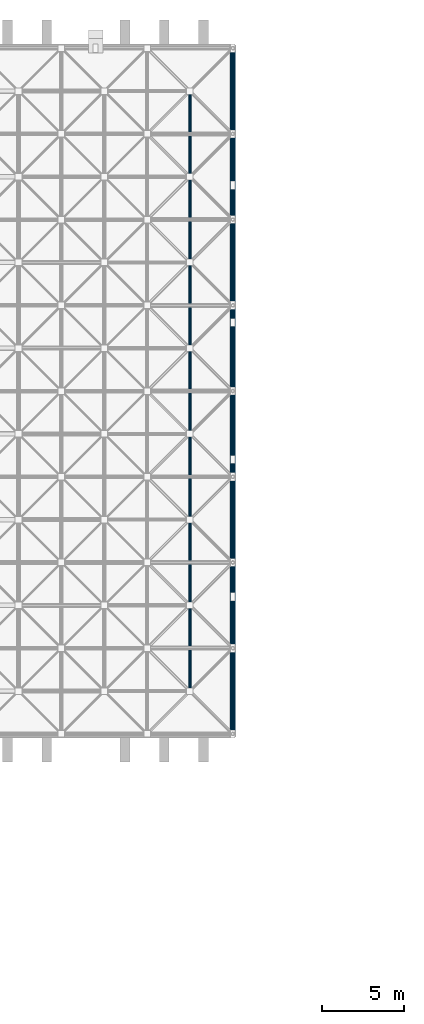
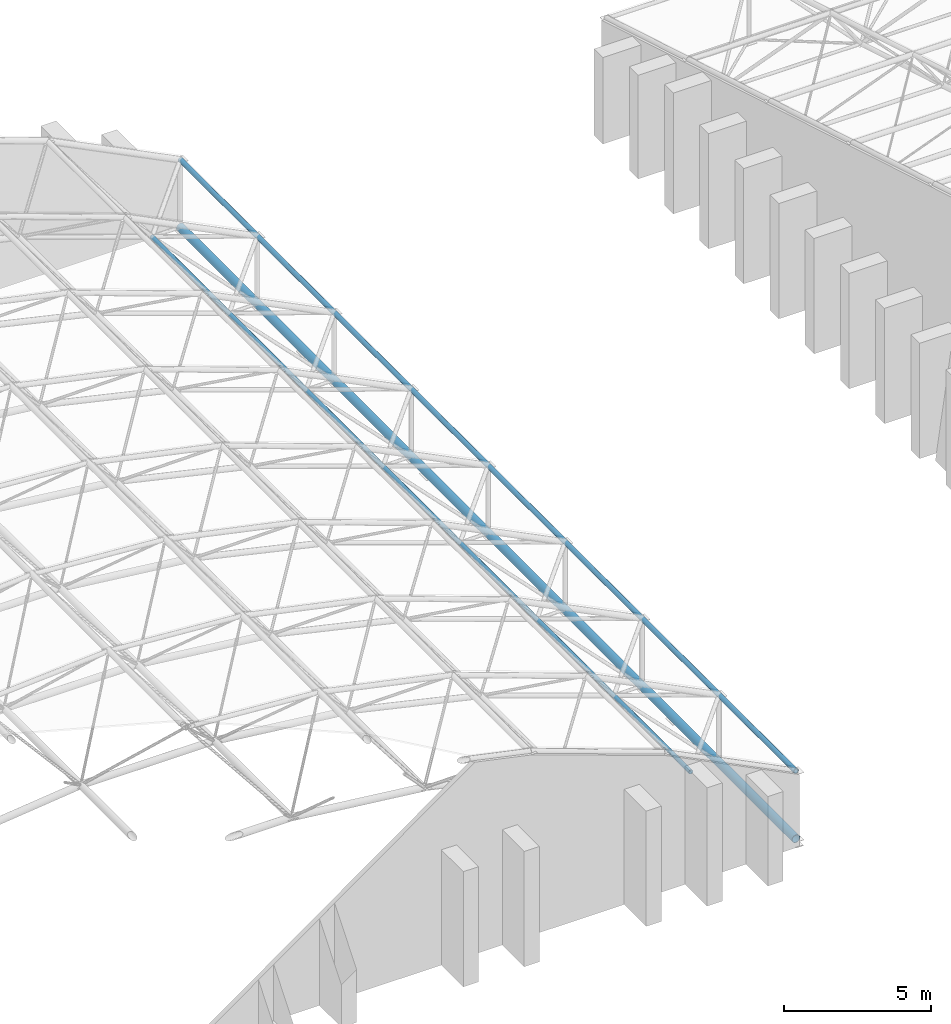
# One storey, part 22 of 100: 3 members.
"""IFC4 building model written with IfcOpenShell, lengths in metres."""

from ifc_helpers import new_model, si_unit, direction, frame, origin, origin_2d, place, context, subcontext, project, spatial, hollow_circle, extrude, material, material_profile, profile_set, type_object, element, save


model = new_model("IFC4")

# Units and contexts
model_context = context("Model", 3, precision=1e-05, world=origin(), true_north=direction((0.0, 1.0)))
body_context = subcontext(model_context, "Body", "Model", "MODEL_VIEW")
ifc_project = project(units=[si_unit("LENGTHUNIT", "METRE"), si_unit("AREAUNIT", "SQUARE_METRE"), si_unit("VOLUMEUNIT", "CUBIC_METRE"), si_unit("PLANEANGLEUNIT", "RADIAN"), si_unit("MASSUNIT", "GRAM", prefix="KILO")], contexts=[model_context])

# Site, building, storey
site_placement = place(None, origin())
site = spatial("IfcSite", under=ifc_project, at=site_placement, CompositionType="ELEMENT")
building_placement = place(site_placement, origin())
building = spatial("IfcBuilding", under=site, at=building_placement, Name="Kiln Court Media Centre", CompositionType="ELEMENT")
storey_placement = place(building_placement, frame((0.0, 0.0, 15.0)))
storey = spatial("IfcBuildingStorey", under=building, at=storey_placement, Name="L03", CompositionType="ELEMENT", Elevation=15.0)

# Members
ifc_material_1 = material(Name="Steel ASTM A500 Gr C", Category="steel")
ifc_material_profile_1 = material_profile(ifc_material_1, hollow_circle(Radius=0.084228515625, WallThickness=0.00634765625, at=origin_2d()), Name="CHS 168.3x6.3")
ifc_profile_set_1 = profile_set([ifc_material_profile_1], Name="Steel ASTM A500 Gr C")
member_type_1 = type_object("IfcMemberType", Name="Steel ASTM A500 Gr C CHS 168.3x6.3 space frame chord", PredefinedType="CHORD", material=ifc_profile_set_1)
member_1_placement = place(storey_placement, frame((98.175048828125, 27.824951171875, 2.2978515625), z_axis=(0.0, 1.0, 0.0), x_axis=(-1.0, 0.0, 0.0)))
element("IfcMember", 1, at=member_1_placement, inside=storey, type_object=member_type_1, Name="V1 roof bottom chord along line 8 space frame chord", PredefinedType="CHORD", context=body_context, shape_type="SweptSolid", body=[
    extrude(hollow_circle(Radius=0.084228515625, WallThickness=0.00634765625, at=origin_2d()), origin(), (0.0, 0.0, 1.0), 36.75),
])
ifc_material_2 = material(Name="Steel ASTM A500 Gr C", Category="steel")
ifc_material_profile_2 = material_profile(ifc_material_2, hollow_circle(Radius=0.096923828125, WallThickness=0.008056640625, at=origin_2d()), Name="CHS 193.7x8.0")
ifc_profile_set_2 = profile_set([ifc_material_profile_2], Name="Steel ASTM A500 Gr C")
member_type_2 = type_object("IfcMemberType", Name="Steel ASTM A500 Gr C CHS 193.7x8.0 space frame chord", PredefinedType="CHORD", material=ifc_profile_set_2)
member_2_placement = place(storey_placement, frame((100.800048828125, 25.199951171875, 3.0), z_axis=(0.0, 1.0, 0.0), x_axis=(-1.0, 0.0, 0.0)))
element("IfcMember", 2, at=member_2_placement, inside=storey, type_object=member_type_2, Name="V1 roof top chord along line 9 space frame chord", PredefinedType="CHORD", context=body_context, shape_type="SweptSolid", body=[
    extrude(hollow_circle(Radius=0.096923828125, WallThickness=0.008056640625, at=origin_2d()), origin(), (0.0, 0.0, 1.0), 42.0),
])
ifc_material_3 = material(Name="Steel ASTM A500 Gr C", Category="steel")
ifc_material_profile_3 = material_profile(ifc_material_3, hollow_circle(Radius=0.161865234375, WallThickness=0.012451171875, at=origin_2d()), Name="CHS 323.9x12.5")
ifc_profile_set_3 = profile_set([ifc_material_profile_3], Name="Steel ASTM A500 Gr C")
member_type_3 = type_object("IfcMemberType", Name="Steel ASTM A500 Gr C CHS 323.9x12.5 space frame chord", PredefinedType="CHORD", material=ifc_profile_set_3)
member_3_placement = place(storey_placement, frame((100.800048828125, 25.199951171875, 0.18994140625), z_axis=(0.0, 1.0, 0.0), x_axis=(-1.0, 0.0, 0.0)))
element("IfcMember", 3, at=member_3_placement, inside=storey, type_object=member_type_3, Name="V1 roof bearing chord last side space frame chord", PredefinedType="CHORD", context=body_context, shape_type="SweptSolid", body=[
    extrude(hollow_circle(Radius=0.161865234375, WallThickness=0.012451171875, at=origin_2d()), origin(), (0.0, 0.0, 1.0), 42.0),
])

save(model, "model.ifc")
